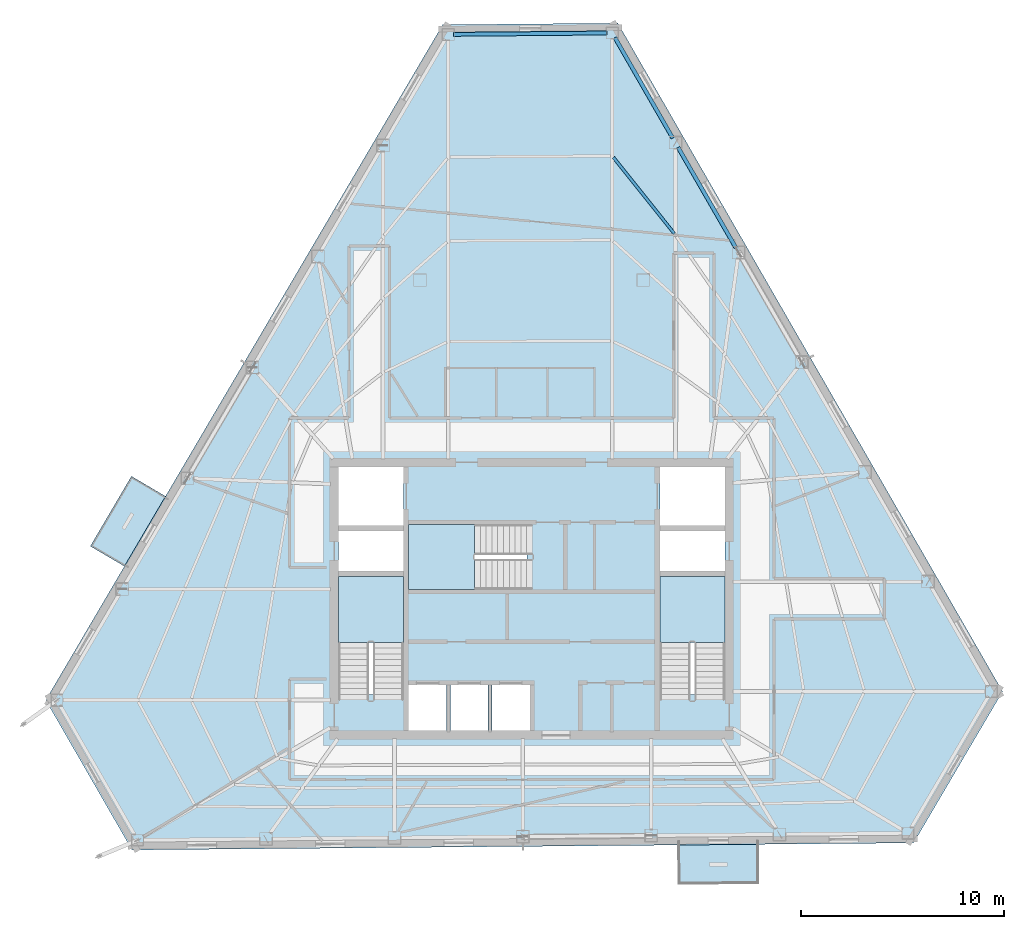
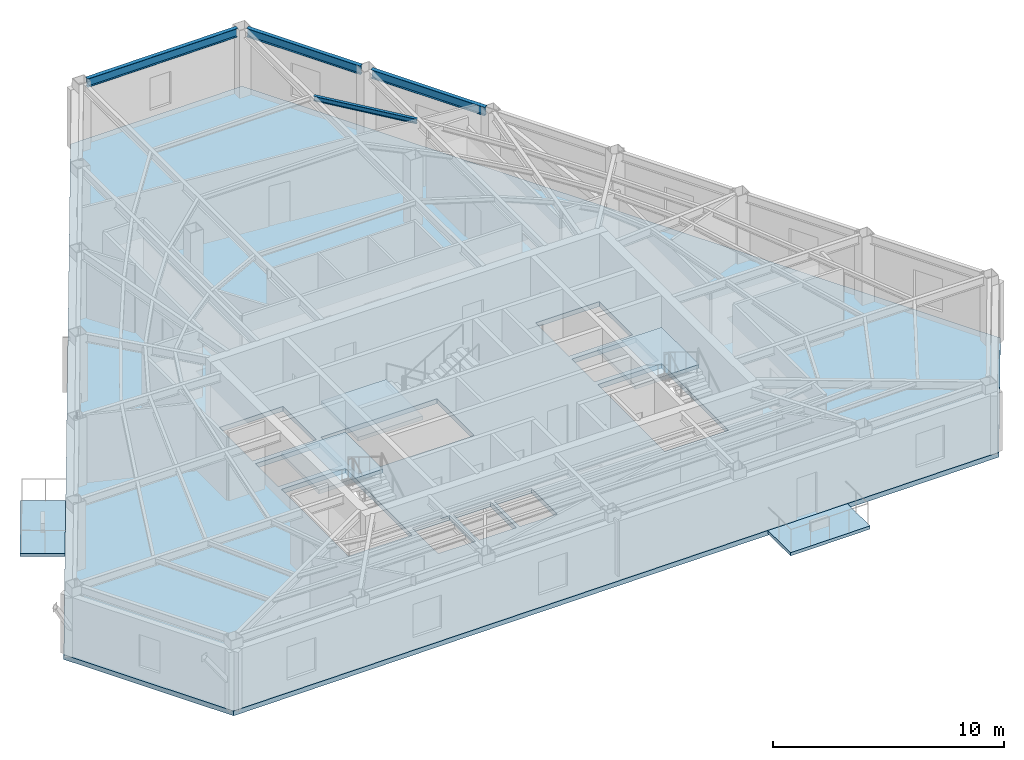
# One storey, part 3 of 14: 6 slabs, 4 beams, 3 elements without a shape of their own.
"""IFC4 building model written with IfcOpenShell, lengths in metres."""

from ifc_helpers import new_model, si_unit, direction, frame, origin, origin_2d, place, context, subcontext, project, spatial, polyline, i_section, outline, extrude, material, layer, layer_set, material_profile, profile_set, type_object, element, aggregate, save


model = new_model("IFC4")

# Units and contexts
model_context = context("Model", 3, precision=1e-05, world=origin(), true_north=direction((0.0, 1.0)))
body_context = subcontext(model_context, "Body", "Model", "MODEL_VIEW")
ifc_project = project(units=[si_unit("LENGTHUNIT", "METRE"), si_unit("AREAUNIT", "SQUARE_METRE"), si_unit("VOLUMEUNIT", "CUBIC_METRE"), si_unit("PLANEANGLEUNIT", "RADIAN"), si_unit("MASSUNIT", "GRAM", prefix="KILO")], contexts=[model_context])

# Site, building, storey
site_placement = place(None, origin())
site = spatial("IfcSite", under=ifc_project, at=site_placement, CompositionType="ELEMENT")
building_placement = place(site_placement, origin())
building = spatial("IfcBuilding", under=site, at=building_placement, Name="Kavelnor Concourse Tower", CompositionType="ELEMENT")
storey_placement = place(building_placement, frame((0.0, 0.0, 215.050048828125)))
storey = spatial("IfcBuildingStorey", under=building, at=storey_placement, Name="L54", CompositionType="ELEMENT", Elevation=215.050048828125)

# Beams
ifc_material_1 = material(Name="Steel Grade 350", Category="steel")
ifc_material_profile_1 = material_profile(ifc_material_1, i_section(OverallWidth=0.14599609375, OverallDepth=0.256103515625, WebThickness=0.00634765625, FlangeThickness=0.010986328125, at=origin_2d()), Name="250UB37")
ifc_profile_set_1 = profile_set([ifc_material_profile_1], Name="Steel Grade 350")
beam_type_1 = type_object("IfcBeamType", Name="BM-JOIST-250", PredefinedType="JOIST", material=ifc_profile_set_1)
beam_1_placement = place(storey_placement, frame((45.03369140625, 34.099609375, 3.471923828125), z_axis=(-0.624447366974, 0.781066889504, 0.0), x_axis=(-0.781066889504, -0.624447366974, 0.0)))
element("IfcBeam", 1, at=beam_1_placement, inside=storey, type_object=beam_type_1, Name="L54 Secondary Composite Joist 14-3", PredefinedType="JOIST", context=body_context, shape_type="SweptSolid", body=[
    extrude(i_section(OverallWidth=0.14599609375, OverallDepth=0.256103515625, WebThickness=0.00634765625, FlangeThickness=0.010986328125, at=origin_2d()), origin(), (0.0, 0.0, 1.0), 4.808837890625),
])
ifc_material_profile_2 = material_profile(ifc_material_1, i_section(OverallWidth=0.19091796875, OverallDepth=0.4599609375, WebThickness=0.010009765625, FlangeThickness=0.01611328125, at=origin_2d()), Name="460UB82")
ifc_profile_set_2 = profile_set([ifc_material_profile_2], Name="Steel Grade 350")
beam_type_2 = type_object("IfcBeamType", Name="BM-SPANDREL-Z3", PredefinedType="SPANDREL", material=ifc_profile_set_2)
beam_2_placement = place(storey_placement, frame((41.710205078125, 43.98681640625, 3.369873046875), z_axis=(-0.999959649183, -0.008983318225, 0.0), x_axis=(0.008983318225, -0.999959649183, 0.0)))
element("IfcBeam", 2, at=beam_2_placement, inside=storey, type_object=beam_type_2, Name="L54 Chamfer Facet Spandrel Beam C0", PredefinedType="SPANDREL", context=body_context, shape_type="SweptSolid", body=[
    extrude(i_section(OverallWidth=0.19091796875, OverallDepth=0.4599609375, WebThickness=0.010009765625, FlangeThickness=0.01611328125, at=origin_2d()), origin(), (0.0, 0.0, 1.0), 7.55517578125),
])
for number, where, z_axis, x_axis, name in (
    (3, (48.071044921875, 33.3994140625, 3.369873046875), (-0.498879814144, 0.866671178152, 0.0), (-0.866671178152, -0.498879814144, 0.0), "L54 Perimeter Tube Spandrel Beam F2-B4"),
    (4, (44.95703125, 38.80908203125, 3.369873046875), (-0.498879814144, 0.866671178152, 0.0), (-0.866671178152, -0.498879814144, 0.0), "L54 Perimeter Tube Spandrel Beam F2-B5"),
):
    element("IfcBeam", number, at=place(storey_placement, frame(where, z_axis=z_axis, x_axis=x_axis)), inside=storey, type_object=beam_type_2, Name=name, PredefinedType="SPANDREL", context=body_context, shape_type="SweptSolid", body=[
        extrude(i_section(OverallWidth=0.19091796875, OverallDepth=0.4599609375, WebThickness=0.010009765625, FlangeThickness=0.01611328125, at=origin_2d()), origin(), (0.0, 0.0, 1.0), 5.7119140625),
    ])

# Slabs
ifc_material_2 = material(Name="Concrete C40/50", Category="concrete")
ifc_layer_1 = layer(ifc_material_2, 0.169921875, Name="Concrete C40/50")
ifc_layer_set_1 = layer_set([ifc_layer_1], Name="Concrete C40/50")
slab_type_1 = type_object("IfcSlabType", Name="SLB-BALCONY-170", PredefinedType="FLOOR", material=ifc_layer_set_1)
slab_1_placement = place(storey_placement, frame((0.0, 0.0, -0.170166015625)))
element("IfcSlab", 5, at=slab_1_placement, inside=storey, type_object=slab_type_1, Name="L54 Cantilevered Tree Balcony Slab 1", PredefinedType="FLOOR", context=body_context, shape_type="SweptSolid", body=[
    extrude(outline(polyline([(16.24658203125, 18.689697265625), (18.273193359375, 22.138427734375), (19.95458984375, 21.150390625), (17.927978515625, 17.701904296875), (16.24658203125, 18.689697265625)])), origin(), (0.0, 0.0, 1.0), 0.170166015625),
])
slab_2_placement = place(storey_placement, frame((0.0, 0.0, -0.170166015625)))
element("IfcSlab", 6, at=slab_2_placement, inside=storey, type_object=slab_type_1, Name="L54 Cantilevered Tree Balcony Slab 2", PredefinedType="FLOOR", context=body_context, shape_type="SweptSolid", body=[
    extrude(outline(polyline([(49.214599609375, 2.046142578125), (45.21484375, 2.01025390625), (45.197265625, 3.960205078125), (49.197265625, 3.99609375), (49.214599609375, 2.046142578125)])), origin(), (0.0, 0.0, 1.0), 0.170166015625),
])

# Stair, slab
stair_type = type_object("IfcStairType", Name="STR-CORE-1500", PredefinedType="HALF_TURN_STAIR", material=ifc_material_2)
stair_1_placement = place(storey_placement, origin())
stair_1 = element("IfcStair", 7, at=stair_1_placement, inside=storey, type_object=stair_type, Name="L54 ST1", PredefinedType="HALF_TURN_STAIR")
ifc_layer_2 = layer(ifc_material_2, 0.199951171875, Name="Concrete C40/50")
ifc_layer_set_2 = layer_set([ifc_layer_2], Name="Concrete C40/50")
slab_type_2 = type_object("IfcSlabType", Name="SLB-LANDING-200", PredefinedType="LANDING", material=ifc_layer_set_2)
slab_3_placement = place(storey_placement, frame((0.0, 0.0, 1.724853515625)))
slab_3 = element("IfcSlab", 8, at=slab_3_placement, type_object=slab_type_2, Name="ST1 landing 1", PredefinedType="LANDING", context=body_context, shape_type="SweptSolid", body=[
    extrude(outline(polyline([(31.679931640625, 13.949951171875), (31.679931640625, 17.199951171875), (28.47998046875, 17.199951171875), (28.47998046875, 13.949951171875), (31.679931640625, 13.949951171875)])), origin(), (0.0, 0.0, 1.0), 0.2001953125),
])
aggregate(stair_1, [slab_3])

stair_2_placement = place(storey_placement, origin())
stair_2 = element("IfcStair", 9, at=stair_2_placement, inside=storey, type_object=stair_type, Name="L54 ST2", PredefinedType="HALF_TURN_STAIR")
slab_4_placement = place(storey_placement, frame((0.0, 0.0, 1.724853515625)))
slab_4 = element("IfcSlab", 10, at=slab_4_placement, type_object=slab_type_2, Name="ST2 landing 1", PredefinedType="LANDING", context=body_context, shape_type="SweptSolid", body=[
    extrude(outline(polyline([(47.52001953125, 13.949951171875), (47.52001953125, 17.199951171875), (44.320068359375, 17.199951171875), (44.320068359375, 13.949951171875), (47.52001953125, 13.949951171875)])), origin(), (0.0, 0.0, 1.0), 0.2001953125),
])
aggregate(stair_2, [slab_4])

stair_3_placement = place(storey_placement, origin())
stair_3 = element("IfcStair", 11, at=stair_3_placement, inside=storey, type_object=stair_type, Name="L54 ST3", PredefinedType="HALF_TURN_STAIR")
slab_5_placement = place(storey_placement, frame((0.0, 0.0, 1.724853515625)))
slab_5 = element("IfcSlab", 12, at=slab_5_placement, type_object=slab_type_2, Name="ST3 landing 1", PredefinedType="LANDING", context=body_context, shape_type="SweptSolid", body=[
    extrude(outline(polyline([(35.18994140625, 19.760009765625), (31.93994140625, 19.760009765625), (31.93994140625, 16.56005859375), (35.18994140625, 16.56005859375), (35.18994140625, 19.760009765625)])), origin(), (0.0, 0.0, 1.0), 0.2001953125),
])
aggregate(stair_3, [slab_5])

# Slab
ifc_layer_3 = layer(ifc_material_2, 0.25, Name="Concrete C40/50")
ifc_layer_set_3 = layer_set([ifc_layer_3], Name="Concrete C40/50")
slab_type_3 = type_object("IfcSlabType", Name="SLB-OFFICE-250", PredefinedType="FLOOR", material=ifc_layer_set_3)
slab_6_placement = place(storey_placement, frame((0.0, 0.0, -0.25)))
element("IfcSlab", 13, at=slab_6_placement, inside=storey, type_object=slab_type_3, Name="L54 Composite Structural Floor Slab", PredefinedType="FLOOR", context=body_context, shape_type="SweptSolid", body=[
    extrude(outline(polyline([(42.251220703125, 44.4716796875), (33.6142578125, 44.39404296875), (14.05029296875, 11.103515625), (18.301513671875, 3.71826171875), (56.8291015625, 4.064697265625), (61.21484375, 11.527587890625), (42.251220703125, 44.4716796875)]), holes=[polyline([(28.47998046875, 11.3798828125), (31.679931640625, 11.3798828125), (31.679931640625, 17.199951171875), (28.47998046875, 17.199951171875), (28.47998046875, 11.3798828125)]), polyline([(44.320068359375, 11.3798828125), (47.52001953125, 11.3798828125), (47.52001953125, 17.199951171875), (44.320068359375, 17.199951171875), (44.320068359375, 11.3798828125)]), polyline([(31.93994140625, 16.56005859375), (37.760009765625, 16.56005859375), (37.760009765625, 19.760009765625), (31.93994140625, 19.760009765625), (31.93994140625, 16.56005859375)]), polyline([(28.47998046875, 19.699951171875), (31.679931640625, 19.699951171875), (31.679931640625, 22.60009765625), (28.47998046875, 22.60009765625), (28.47998046875, 19.699951171875)]), polyline([(44.320068359375, 19.699951171875), (47.52001953125, 19.699951171875), (47.52001953125, 22.60009765625), (44.320068359375, 22.60009765625), (44.320068359375, 19.699951171875)]), polyline([(31.93994140625, 9.60009765625), (33.81005859375, 9.60009765625), (33.81005859375, 11.840087890625), (31.93994140625, 11.840087890625), (31.93994140625, 9.60009765625)]), polyline([(33.989990234375, 9.60009765625), (35.860107421875, 9.60009765625), (35.860107421875, 11.840087890625), (33.989990234375, 11.840087890625), (33.989990234375, 9.60009765625)]), polyline([(36.0400390625, 9.60009765625), (37.909912109375, 9.60009765625), (37.909912109375, 11.840087890625), (36.0400390625, 11.840087890625), (36.0400390625, 9.60009765625)]), polyline([(28.47998046875, 17.4599609375), (31.679931640625, 17.4599609375), (31.679931640625, 19.43994140625), (28.47998046875, 19.43994140625), (28.47998046875, 17.4599609375)]), polyline([(44.320068359375, 17.4599609375), (47.52001953125, 17.4599609375), (47.52001953125, 19.43994140625), (44.320068359375, 19.43994140625), (44.320068359375, 17.4599609375)])]), origin(), (0.0, 0.0, 1.0), 0.25),
])

save(model, "model.ifc")
